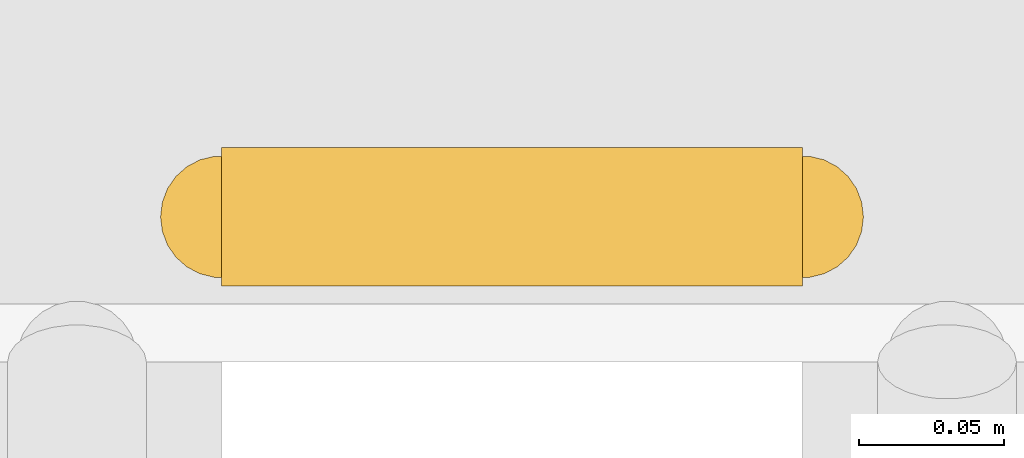
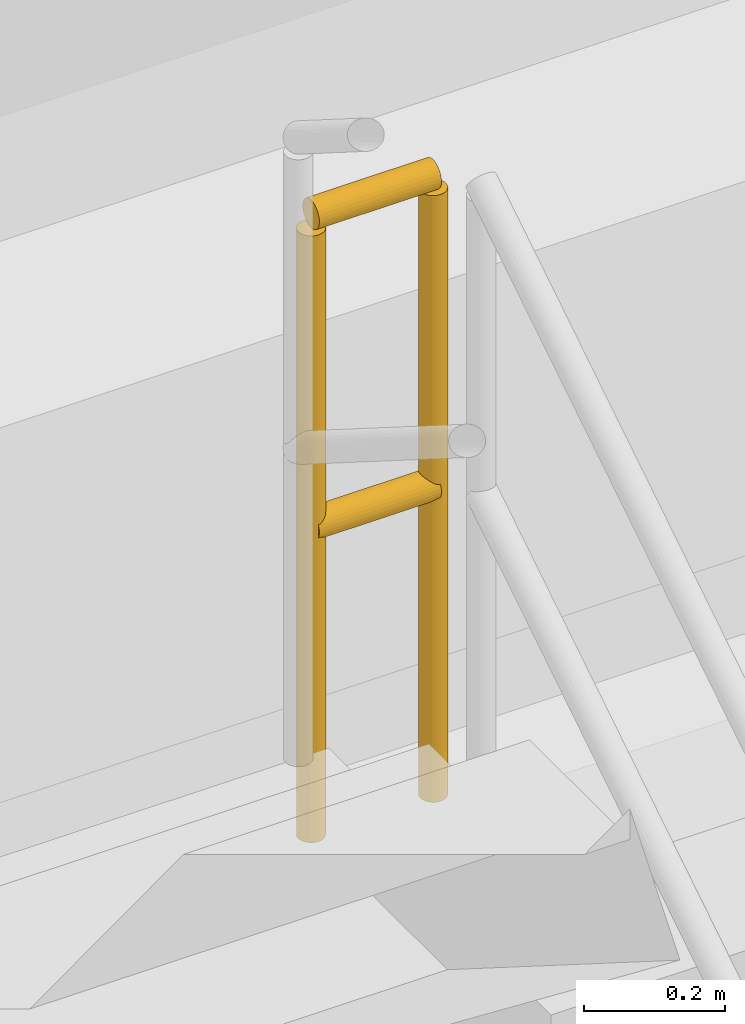
# One storey, part 131 of 132: 1 railing.
"""IFC4 building model written with IfcOpenShell, lengths in metres."""

import ifcopenshell
import ifcopenshell.guid

model = None  # the IFC model being written
_history = None  # IfcOwnerHistory: only IFC2X3 demands one
_inside = {}  # id of a spatial element -> (the spatial element, [elements in it])
_under = {}  # id of a project, library or spatial element -> (it, [spatial elements below it])
_declared = {}  # id of a project -> (the project, [libraries it declares])
_typed = {}  # id of a type object -> (the type object, [elements of that type])
_made_of = {}  # id of a material, layer set ... -> (it, [elements and type objects made of it])


def new_model(schema):
    """Start an empty IFC model of exactly this schema.

    Asked for "IFC4X3", IfcOpenShell would pick the latest addendum, in which some entities
    have other attributes; the version numbers below select the first issue.
    IFC2X3 requires an IfcOwnerHistory on every rooted entity: one is made here for all.
    """
    global model, _history
    if schema == "IFC4X3":
        model = ifcopenshell.file(schema_version=(4, 3, 0, 0))
    else:
        model = ifcopenshell.file(schema=schema)
    _inside.clear()
    _under.clear()
    _declared.clear()
    _typed.clear()
    _made_of.clear()
    _history = None
    if model.schema == "IFC2X3":
        org = make("IfcOrganization", Name="unknown")
        user = make(
            "IfcPersonAndOrganization",
            ThePerson=make("IfcPerson", FamilyName="unknown"),
            TheOrganization=org,
        )
        app = make(
            "IfcApplication",
            ApplicationDeveloper=org,
            Version="unknown",
            ApplicationFullName="unknown",
            ApplicationIdentifier="unknown",
        )
        _history = make(
            "IfcOwnerHistory",
            OwningUser=user,
            OwningApplication=app,
            ChangeAction="ADDED",
            CreationDate=0,
        )
    return model


def make(cls, **values):
    """One entity of the class cls with the attributes given. An attribute that is None is left unset."""
    return model.create_entity(
        cls, **{name: value for name, value in values.items() if value is not None}
    )


def rooted(cls, **values):
    """An entity with a GlobalId (a new one), such as an element, a storey or a relation."""
    return make(cls, GlobalId=ifcopenshell.guid.new(), OwnerHistory=_history, **values)


def si_unit(unit_type, name, prefix=None):
    """IfcSIUnit, for example si_unit("LENGTHUNIT", "METRE", prefix="MILLI")."""
    return make("IfcSIUnit", UnitType=unit_type, Prefix=prefix, Name=name)


def assignment(units):
    """IfcUnitAssignment: the units of a project."""
    return None if units is None else make("IfcUnitAssignment", Units=units)


def point(xyz):
    """IfcCartesianPoint."""
    return None if xyz is None else make("IfcCartesianPoint", Coordinates=xyz)


def direction(xyz):
    """IfcDirection."""
    return None if xyz is None else make("IfcDirection", DirectionRatios=xyz)


def frame(location, z_axis=None, x_axis=None):
    """IfcAxis2Placement3D, a coordinate frame: its origin and axes. An axis left out is left unset."""
    return make(
        "IfcAxis2Placement3D",
        Location=point(location),
        Axis=direction(z_axis),
        RefDirection=direction(x_axis),
    )


def frame_2d(location, x_axis=None):
    """IfcAxis2Placement2D, a coordinate frame in the plane: its origin and x axis."""
    return make(
        "IfcAxis2Placement2D", Location=point(location), RefDirection=direction(x_axis)
    )


def origin():
    """The frame at (0, 0, 0) with its axes left unset."""
    return frame((0.0, 0.0, 0.0))


def origin_2d():
    """The frame at (0, 0) in the plane with its x axis left unset."""
    return frame_2d((0.0, 0.0))


def place(relative_to, where):
    """IfcLocalPlacement: puts the frame where relative to a parent placement (None: the world)."""
    return make(
        "IfcLocalPlacement", PlacementRelTo=relative_to, RelativePlacement=where
    )


def context(
    kind, dimensions, precision=None, world=None, true_north=None, identifier=None
):
    """IfcGeometricRepresentationContext, for example the 3D "Model" context."""
    return make(
        "IfcGeometricRepresentationContext",
        ContextIdentifier=identifier,
        ContextType=kind,
        CoordinateSpaceDimension=dimensions,
        Precision=precision,
        WorldCoordinateSystem=world,
        TrueNorth=true_north,
    )


def subcontext(parent, identifier, kind, view, scale=None):
    """IfcGeometricRepresentationSubContext, for example "Body" below "Model"."""
    return make(
        "IfcGeometricRepresentationSubContext",
        ContextIdentifier=identifier,
        ContextType=kind,
        ParentContext=parent,
        TargetScale=scale,
        TargetView=view,
    )


def project(units=None, contexts=None):
    """IfcProject with its units and contexts."""
    return rooted(
        "IfcProject",
        Name="project",
        RepresentationContexts=contexts,
        UnitsInContext=assignment(units),
    )


def spatial(cls, under=None, at=None, **own):
    """A site, building, storey or space (cls), placed at a placement, below another one or the project."""
    s = rooted(cls, ObjectPlacement=at, **own)
    if under is not None:
        _under.setdefault(under.id(), (under, []))[1].append(s)
    return s


def profile(cls, at=None, kind="AREA", **sizes):
    """A parametric profile (cls). Its sizes go by their IFC names, for example OverallWidth=200.0."""
    return make(cls, ProfileType=kind, Position=at, **sizes)


def circle(**sizes):
    """IfcCircleProfileDef."""
    return profile("IfcCircleProfileDef", **sizes)


def extrude(swept, where, along, depth):
    """IfcExtrudedAreaSolid: the profile swept, set in the frame where, extruded along a direction by depth."""
    return make(
        "IfcExtrudedAreaSolid",
        SweptArea=swept,
        Position=where,
        ExtrudedDirection=direction(along),
        Depth=depth,
    )


def shape(context_of_items, identifier, shape_type, items):
    """IfcShapeRepresentation: the items that make up one representation, for example the "Body"."""
    return make(
        "IfcShapeRepresentation",
        ContextOfItems=context_of_items,
        RepresentationIdentifier=identifier,
        RepresentationType=shape_type,
        Items=items,
    )


def material(Name=None, Category=None):
    """IfcMaterial."""
    return make("IfcMaterial", Name=Name, Category=Category)


def made_of(thing, what):
    """Note that an element or type object is made of a material, layer set ...; save() writes the relation."""
    if what is not None:
        _made_of.setdefault(what.id(), (what, []))[1].append(thing)
    return thing


def type_object(cls, material=None, **own):
    """A type object (cls), such as IfcWallType, which elements share."""
    return made_of(rooted(cls, **own), material)


def element(
    cls,
    number,
    at=None,
    inside=None,
    cuts=None,
    type_object=None,
    material=None,
    context=None,
    identifier="Body",
    shape_type=None,
    held_by="IfcProductDefinitionShape",
    body=None,
    shapes=None,
    **own,
):
    """One element of the class cls, such as IfcWall. Its Tag is "e" and its number.

    at: its placement. inside: the storey or other place that contains it. cuts: it is an
    opening in that element (IfcRelVoidsElement). A single representation is given by context,
    identifier, shape_type and body (its items); several are given by shapes. held_by: the class
    of the entity that holds the representations. save() writes the other relations.
    """
    e = rooted(cls, Tag="e%d" % number, ObjectPlacement=at, **own)
    if body is not None:
        shapes = [shape(context, identifier, shape_type, body)]
    if shapes is not None:
        e.Representation = make(held_by, Representations=shapes)
    if inside is not None:
        _inside.setdefault(inside.id(), (inside, []))[1].append(e)
    if cuts is not None:
        rooted(
            "IfcRelVoidsElement", RelatingBuildingElement=cuts, RelatedOpeningElement=e
        )
    if type_object is not None:
        _typed.setdefault(type_object.id(), (type_object, []))[1].append(e)
    return made_of(e, material)


def aggregate(whole, parts):
    """IfcRelAggregates: a whole, such as a stair, and the parts it consists of."""
    return rooted("IfcRelAggregates", RelatingObject=whole, RelatedObjects=parts)


def save(model, path):
    """Write the relations noted so far, then the file.

    IfcRelAggregates (storeys below a building ...), IfcRelContainedInSpatialStructure (elements
    in a storey), IfcRelDefinesByType, IfcRelAssociatesMaterial and IfcRelDeclares: one each for
    every whole, place, type object, material and project.
    """
    for whole, parts in _under.values():
        aggregate(whole, parts)
    for where, things in _inside.values():
        rooted(
            "IfcRelContainedInSpatialStructure",
            RelatedElements=things,
            RelatingStructure=where,
        )
    for kind, things in _typed.values():
        rooted("IfcRelDefinesByType", RelatedObjects=things, RelatingType=kind)
    for what, things in _made_of.values():
        rooted("IfcRelAssociatesMaterial", RelatedObjects=things, RelatingMaterial=what)
    for by, libraries in _declared.values():
        rooted("IfcRelDeclares", RelatingContext=by, RelatedDefinitions=libraries)
    model.write(path)


model = new_model("IFC4")

# Units and contexts
model_context = context("Model", 3, precision=1e-05, world=origin(), true_north=direction((0.0, 1.0)))
body_context = subcontext(model_context, "Body", "Model", "MODEL_VIEW")
ifc_project = project(units=[si_unit("LENGTHUNIT", "METRE"), si_unit("AREAUNIT", "SQUARE_METRE"), si_unit("VOLUMEUNIT", "CUBIC_METRE"), si_unit("PLANEANGLEUNIT", "RADIAN"), si_unit("MASSUNIT", "GRAM", prefix="KILO")], contexts=[model_context])

# Site, building, storey
site_placement = place(None, origin())
site = spatial("IfcSite", under=ifc_project, at=site_placement, CompositionType="ELEMENT")
building_placement = place(site_placement, origin())
building = spatial("IfcBuilding", under=site, at=building_placement, Name="Khurvash Pelagic Aquarium", CompositionType="ELEMENT")
storey_placement = place(building_placement, frame((0.0, 0.0, 5.39990234375)))
storey = spatial("IfcBuildingStorey", under=building, at=storey_placement, Name="L01", CompositionType="ELEMENT", Elevation=5.39990234375)

# Railing
ifc_material = material(Name="Powder-coated galvanised steel S355J2", Category="steel")
railing_type = type_object("IfcRailingType", Name="GR-01", PredefinedType="GUARDRAIL", material=ifc_material)
railing_placement = place(storey_placement, frame((70.10009765625, 99.5400390625, 2.7001953125)))
element("IfcRailing", 1, at=railing_placement, inside=storey, type_object=railing_type, Name="L01 ST-04 stair guard 2", PredefinedType="GUARDRAIL", context=body_context, shape_type="SweptSolid", body=[
    extrude(circle(Radius=0.02392578125, at=origin_2d()), frame((0.0, 0.0, 1.076171875), z_axis=(-1.0, 0.0, 0.0), x_axis=(0.0, -1.0, 0.0)), (0.0, 0.0, 1.0), 0.2001953125),
    extrude(circle(Radius=0.02392578125, at=origin_2d()), frame((0.0, 0.0, 0.5380859375), z_axis=(-1.0, 0.0, 0.0), x_axis=(0.0, -1.0, 0.0)), (0.0, 0.0, 1.0), 0.2001953125),
    extrude(circle(Radius=0.02099609375, at=origin_2d()), origin(), (0.0, 0.0, 1.0), 1.052001953125),
    extrude(circle(Radius=0.02099609375, at=origin_2d()), frame((-0.2001953125, 0.0, 0.0)), (0.0, 0.0, 1.0), 1.052001953125),
])

save(model, "model.ifc")
